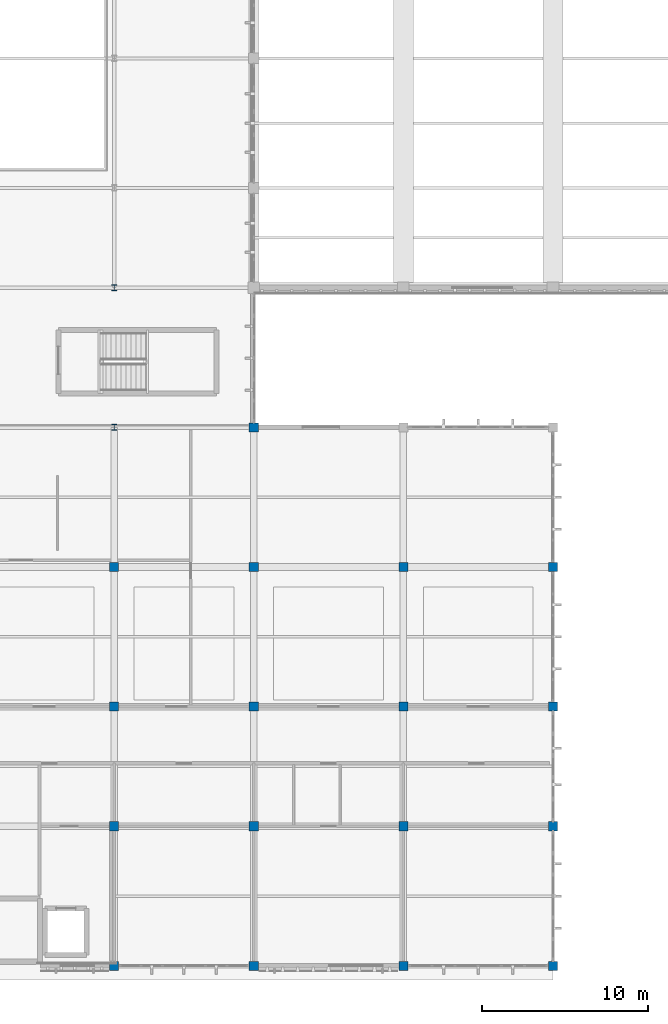
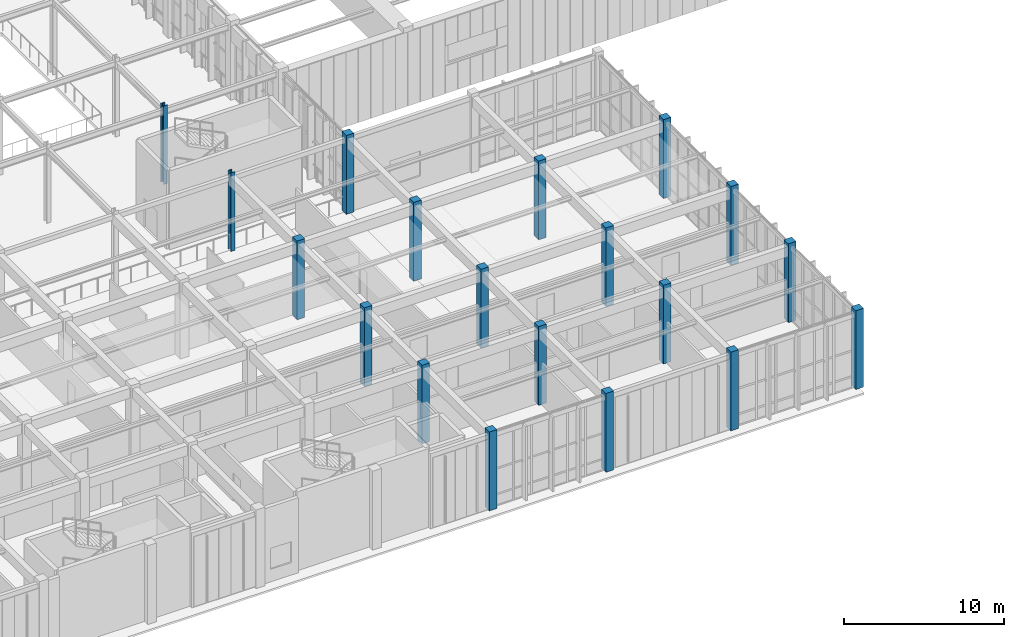
# One storey, part 3 of 105: 19 columns.
"""IFC4 building model written with IfcOpenShell, lengths in metres."""

from ifc_helpers import new_model, si_unit, direction, frame, origin, origin_2d, place, context, subcontext, project, spatial, rectangle, i_section, extrude, material, material_profile, profile_set, type_object, element, save


model = new_model("IFC4")

# Units and contexts
model_context = context("Model", 3, precision=1e-05, world=origin(), true_north=direction((0.0, 1.0)))
body_context = subcontext(model_context, "Body", "Model", "MODEL_VIEW")
ifc_project = project(units=[si_unit("LENGTHUNIT", "METRE"), si_unit("AREAUNIT", "SQUARE_METRE"), si_unit("VOLUMEUNIT", "CUBIC_METRE"), si_unit("PLANEANGLEUNIT", "RADIAN"), si_unit("MASSUNIT", "GRAM", prefix="KILO")], contexts=[model_context])

# Site, building, storey
site_placement = place(None, origin())
site = spatial("IfcSite", under=ifc_project, at=site_placement, CompositionType="ELEMENT")
building_placement = place(site_placement, origin())
building = spatial("IfcBuilding", under=site, at=building_placement, Name="Tizgana Railside Sports Hall", CompositionType="ELEMENT")
storey_placement = place(building_placement, frame((0.0, 0.0, 6.0)))
storey = spatial("IfcBuildingStorey", under=building, at=storey_placement, Name="L01", CompositionType="ELEMENT", Elevation=6.0)

# Columns
ifc_material_1 = material(Name="Concrete C40/50", Category="concrete")
ifc_material_profile_1 = material_profile(ifc_material_1, rectangle(XDim=0.550048828125, YDim=0.550048828125, at=origin_2d()), Name="RC 550x550")
ifc_profile_set_1 = profile_set([ifc_material_profile_1], Name="Concrete C40/50")
column_type_1 = type_object("IfcColumnType", Name="Concrete Column RC 550x550", PredefinedType="COLUMN", material=ifc_profile_set_1)
for number, where, z_axis, x_axis, name in (
    (1, (79.800048828125, 32.39990234375, 0.0), (0.0, 0.0, 1.0), (1.0, 0.0, 0.0), "L01 COL-0246"),
    (2, (71.39990234375, 0.0, 0.0), (0.0, 0.0, 1.0), (1.0, 0.0, 0.0), "L01 COL-0778"),
    (3, (71.39990234375, 8.39990234375, 0.0), (0.0, 0.0, 1.0), (1.0, 0.0, 0.0), "L01 COL-0783"),
    (4, (71.39990234375, 15.60009765625, 0.0), (0.0, 0.0, 1.0), (1.0, 0.0, 0.0), "L01 COL-0788"),
    (5, (71.39990234375, 24.0, 0.0), (0.0, 0.0, 1.0), (1.0, 0.0, 0.0), "L01 COL-0793"),
    (6, (79.800048828125, 0.0, 0.0), (0.0, 0.0, 1.0), (1.0, 0.0, 0.0), "L01 COL-0800"),
    (7, (79.800048828125, 8.39990234375, 0.0), (0.0, 0.0, 1.0), (1.0, 0.0, 0.0), "L01 COL-0805"),
    (8, (79.800048828125, 15.60009765625, 0.0), (0.0, 0.0, 1.0), (1.0, 0.0, 0.0), "L01 COL-0810"),
    (9, (79.800048828125, 24.0, 0.0), (0.0, 0.0, 1.0), (1.0, 0.0, 0.0), "L01 COL-0815"),
    (10, (88.800048828125, 0.0, 0.0), (0.0, 0.0, 1.0), (1.0, 0.0, 0.0), "L01 COL-0822"),
    (11, (88.800048828125, 8.39990234375, 0.0), (0.0, 0.0, 1.0), (1.0, 0.0, 0.0), "L01 COL-0826"),
    (12, (88.800048828125, 15.60009765625, 0.0), (0.0, 0.0, 1.0), (1.0, 0.0, 0.0), "L01 COL-0830"),
    (13, (88.800048828125, 24.0, 0.0), (0.0, 0.0, 1.0), (1.0, 0.0, 0.0), "L01 COL-0834"),
    (14, (97.800048828125, 0.0, 0.0), (0.0, 0.0, 1.0), (1.0, 0.0, 0.0), "L01 COL-0842"),
    (15, (97.800048828125, 8.39990234375, 0.0), (0.0, 0.0, 1.0), (1.0, 0.0, 0.0), "L01 COL-0846"),
    (16, (97.800048828125, 15.60009765625, 0.0), (0.0, 0.0, 1.0), (1.0, 0.0, 0.0), "L01 COL-0850"),
    (17, (97.800048828125, 24.0, 0.0), (0.0, 0.0, 1.0), (1.0, 0.0, 0.0), "L01 COL-0854"),
):
    element("IfcColumn", number, at=place(storey_placement, frame(where, z_axis=z_axis, x_axis=x_axis)), inside=storey, type_object=column_type_1, Name=name, PredefinedType="COLUMN", context=body_context, shape_type="SweptSolid", body=[
        extrude(rectangle(XDim=0.550048828125, YDim=0.550048828125, at=origin_2d()), origin(), (0.0, 0.0, 1.0), 6.0),
    ])
ifc_material_2 = material(Name="Steel S355J2", Category="steel")
ifc_material_profile_2 = material_profile(ifc_material_2, i_section(OverallWidth=0.300048828125, OverallDepth=0.360107421875, WebThickness=0.012451171875, FlangeThickness=0.0224609375, FilletRadius=0.027099609375, at=origin_2d()), Name="HEB 360")
ifc_profile_set_2 = profile_set([ifc_material_profile_2], Name="Steel S355J2")
column_type_2 = type_object("IfcColumnType", Name="Steel Column HEB 360", PredefinedType="COLUMN", material=ifc_profile_set_2)
for number, where, z_axis, x_axis, name in (
    (18, (71.39990234375, 32.39990234375, 0.0), (0.0, 0.0, 1.0), (1.0, 0.0, 0.0), "L01 COL-0219"),
    (19, (71.39990234375, 40.800048828125, 0.0), (0.0, 0.0, 1.0), (1.0, 0.0, 0.0), "L01 COL-0222"),
):
    element("IfcColumn", number, at=place(storey_placement, frame(where, z_axis=z_axis, x_axis=x_axis)), inside=storey, type_object=column_type_2, Name=name, PredefinedType="COLUMN", context=body_context, shape_type="SweptSolid", body=[
        extrude(i_section(OverallWidth=0.300048828125, OverallDepth=0.360107421875, WebThickness=0.012451171875, FlangeThickness=0.0224609375, FilletRadius=0.027099609375, at=origin_2d()), origin(), (0.0, 0.0, 1.0), 6.0),
    ])

save(model, "model.ifc")
